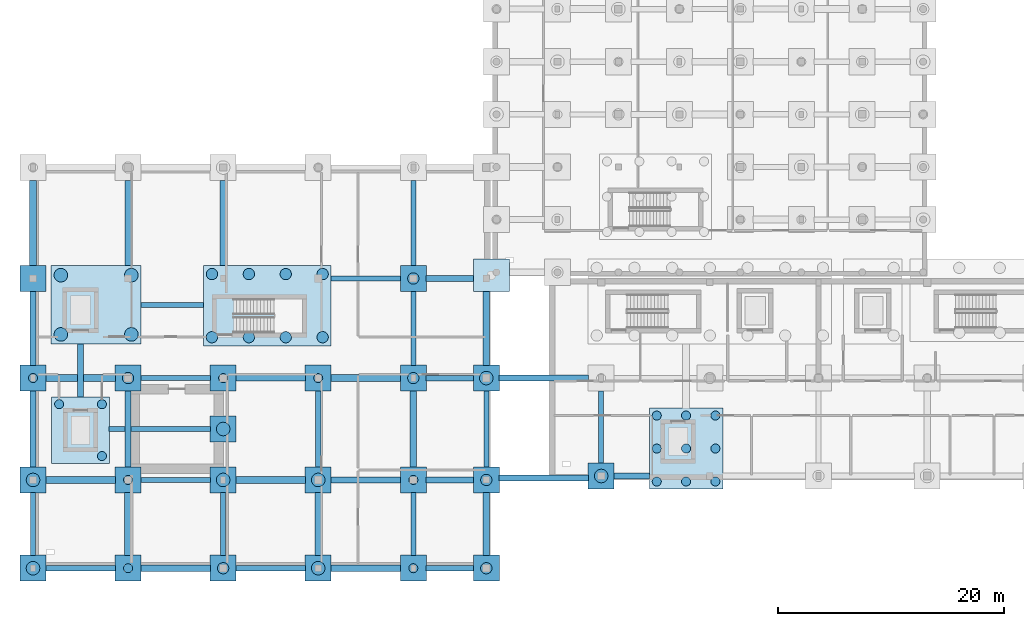
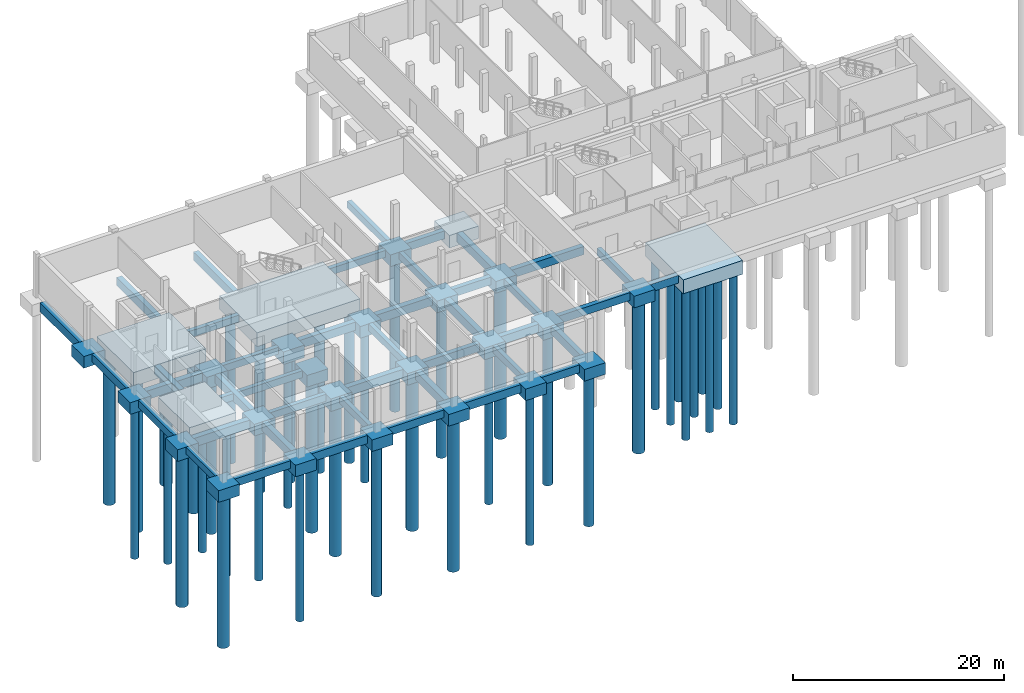
# One storey, part 1 of 14: 69 footings, 45 piles.
"""IFC4 building model written with IfcOpenShell, lengths in metres."""

from ifc_helpers import new_model, si_unit, direction, frame, origin, origin_2d, place, context, subcontext, project, spatial, rectangle, circle, extrude, material, material_profile, profile_set, type_object, element, save


model = new_model("IFC4")

# Units and contexts
model_context = context("Model", 3, precision=1e-05, world=origin(), true_north=direction((0.0, 1.0)))
body_context = subcontext(model_context, "Body", "Model", "MODEL_VIEW")
ifc_project = project(units=[si_unit("LENGTHUNIT", "METRE"), si_unit("AREAUNIT", "SQUARE_METRE"), si_unit("VOLUMEUNIT", "CUBIC_METRE"), si_unit("PLANEANGLEUNIT", "RADIAN"), si_unit("MASSUNIT", "GRAM", prefix="KILO")], contexts=[model_context])

# Site, building, storey
site_placement = place(None, origin())
site = spatial("IfcSite", under=ifc_project, at=site_placement, CompositionType="ELEMENT")
building_placement = place(site_placement, origin())
building = spatial("IfcBuilding", under=site, at=building_placement, Name="Birchvale Park Specialist Clinic", CompositionType="ELEMENT")
storey_placement = place(building_placement, frame((0.0, 0.0, -4.5)))
storey = spatial("IfcBuildingStorey", under=building, at=storey_placement, Name="B1", CompositionType="ELEMENT", Elevation=-4.5)

# Footings
ifc_material = material(Name="Concrete C40/50", Category="concrete")
footing_type_1 = type_object("IfcFootingType", Name="FTB-1", PredefinedType="FOOTING_BEAM", material=ifc_material)
for number, where, z_axis, x_axis, name in (
    (1, (15.39990234375, 9.0, -1.449951171875), (0.0, 0.0, 1.0), (1.0, 0.0, 0.0), "B1 foundation tie beam 1"),
    (2, (32.199951171875, 9.0, -1.449951171875), (0.0, 0.0, 1.0), (1.0, 0.0, 0.0), "B1 foundation tie beam 5"),
):
    element("IfcFooting", number, at=place(storey_placement, frame(where, z_axis=z_axis, x_axis=x_axis)), inside=storey, type_object=footing_type_1, Name=name, PredefinedType="FOOTING_BEAM", context=body_context, shape_type="SweptSolid", body=[
        extrude(rectangle(XDim=6.139892578125, YDim=0.5, at=origin_2d()), origin(), (0.0, 0.0, 1.0), 0.89990234375),
    ])
footing_1_placement = place(storey_placement, frame((48.02490234375, 9.0, -1.449951171875), z_axis=(0.0, 0.0, 1.0), x_axis=(1.0, 0.0, 0.0)))
element("IfcFooting", 3, at=footing_1_placement, inside=storey, type_object=footing_type_1, Name="B1 foundation tie beam 9", PredefinedType="FOOTING_BEAM", context=body_context, shape_type="SweptSolid", body=[
    extrude(rectangle(XDim=4.18994140625, YDim=0.5, at=origin_2d()), origin(), (0.0, 0.0, 1.0), 0.89990234375),
])
footing_2_placement = place(storey_placement, frame((11.199951171875, 21.300048828125, -1.449951171875), z_axis=(0.0, 0.0, 1.0), x_axis=(1.0, 0.0, 0.0)))
element("IfcFooting", 4, at=footing_2_placement, inside=storey, type_object=footing_type_1, Name="B1 foundation tie beam 13", PredefinedType="FOOTING_BEAM", context=body_context, shape_type="SweptSolid", body=[
    extrude(rectangle(XDim=0.5, YDim=6.739990234375, at=origin_2d()), origin(), (0.0, 0.0, 1.0), 0.89990234375),
])
footing_3_placement = place(storey_placement, frame((40.60009765625, 16.800048828125, -1.449951171875), z_axis=(0.0, 0.0, 1.0), x_axis=(1.0, 0.0, 0.0)))
element("IfcFooting", 5, at=footing_3_placement, inside=storey, type_object=footing_type_1, Name="B1 foundation tie beam 17", PredefinedType="FOOTING_BEAM", context=body_context, shape_type="SweptSolid", body=[
    extrude(rectangle(XDim=6.139892578125, YDim=0.5, at=origin_2d()), origin(), (0.0, 0.0, 1.0), 0.89990234375),
])
footing_4_placement = place(storey_placement, frame((56.324951171875, 16.97509765625, -1.449951171875), z_axis=(0.0, 0.0, 1.0), x_axis=(1.0, 0.0, 0.0)))
element("IfcFooting", 6, at=footing_4_placement, inside=storey, type_object=footing_type_1, Name="B1 foundation tie beam 21", PredefinedType="FOOTING_BEAM", context=body_context, shape_type="SweptSolid", body=[
    extrude(rectangle(XDim=7.889892578125, YDim=0.5, at=origin_2d()), origin(), (0.0, 0.0, 1.0), 0.89990234375),
])
footing_5_placement = place(storey_placement, frame((64.10009765625, 17.14990234375, -1.449951171875), z_axis=(0.0, 0.0, 1.0), x_axis=(1.0, 0.0, 0.0)))
element("IfcFooting", 7, at=footing_5_placement, inside=storey, type_object=footing_type_1, Name="B1 foundation tie beam 33", PredefinedType="FOOTING_BEAM", context=body_context, shape_type="SweptSolid", body=[
    extrude(rectangle(XDim=3.139892578125, YDim=0.5, at=origin_2d()), origin(), (0.0, 0.0, 1.0), 0.89990234375),
])
footing_6_placement = place(storey_placement, frame((11.199951171875, 30.199951171875, -1.449951171875), z_axis=(0.0, 0.0, 1.0), x_axis=(1.0, 0.0, 0.0)))
element("IfcFooting", 8, at=footing_6_placement, inside=storey, type_object=footing_type_1, Name="B1 foundation tie beam 49", PredefinedType="FOOTING_BEAM", context=body_context, shape_type="SweptSolid", body=[
    extrude(rectangle(XDim=0.5, YDim=6.5400390625, at=origin_2d()), origin(), (0.0, 0.0, 1.0), 0.89990234375),
])
for number, where, z_axis, x_axis, name in (
    (9, (48.02490234375, 25.800048828125, -1.449951171875), (0.0, 0.0, 1.0), (1.0, 0.0, 0.0), "B1 foundation tie beam 53"),
    (10, (48.02490234375, 34.60009765625, -1.449951171875), (0.0, 0.0, 1.0), (1.0, 0.0, 0.0), "B1 foundation tie beam 73"),
):
    element("IfcFooting", number, at=place(storey_placement, frame(where, z_axis=z_axis, x_axis=x_axis)), inside=storey, type_object=footing_type_1, Name=name, PredefinedType="FOOTING_BEAM", context=body_context, shape_type="SweptSolid", body=[
        extrude(rectangle(XDim=4.18994140625, YDim=0.5, at=origin_2d()), origin(), (0.0, 0.0, 1.0), 0.89990234375),
    ])
footing_type_2 = type_object("IfcFootingType", Name="FTB-2", PredefinedType="FOOTING_BEAM", material=ifc_material)
for number, where, z_axis, x_axis, name in (
    (11, (11.199951171875, 12.89990234375, -1.35009765625), (0.0, 0.0, 1.0), (1.0, 0.0, 0.0), "B1 foundation tie beam 2"),
    (12, (28.0, 12.89990234375, -1.35009765625), (0.0, 0.0, 1.0), (1.0, 0.0, 0.0), "B1 foundation tie beam 6"),
    (13, (44.800048828125, 12.89990234375, -1.35009765625), (0.0, 0.0, 1.0), (1.0, 0.0, 0.0), "B1 foundation tie beam 10"),
):
    element("IfcFooting", number, at=place(storey_placement, frame(where, z_axis=z_axis, x_axis=x_axis)), inside=storey, type_object=footing_type_2, Name=name, PredefinedType="FOOTING_BEAM", context=body_context, shape_type="SweptSolid", body=[
        extrude(rectangle(XDim=0.449951171875, YDim=5.5400390625, at=origin_2d()), origin(), (0.0, 0.0, 1.0), 0.800048828125),
    ])
footing_7_placement = place(storey_placement, frame((23.800048828125, 16.800048828125, -1.35009765625), z_axis=(0.0, 0.0, 1.0), x_axis=(1.0, 0.0, 0.0)))
element("IfcFooting", 14, at=footing_7_placement, inside=storey, type_object=footing_type_2, Name="B1 foundation tie beam 14", PredefinedType="FOOTING_BEAM", context=body_context, shape_type="SweptSolid", body=[
    extrude(rectangle(XDim=6.139892578125, YDim=0.449951171875, at=origin_2d()), origin(), (0.0, 0.0, 1.0), 0.800048828125),
])
for number, where, z_axis, x_axis, name in (
    (15, (36.39990234375, 21.300048828125, -1.35009765625), (0.0, 0.0, 1.0), (1.0, 0.0, 0.0), "B1 foundation tie beam 18"),
    (16, (51.25, 21.300048828125, -1.35009765625), (0.0, 0.0, 1.0), (1.0, 0.0, 0.0), "B1 foundation tie beam 22"),
):
    element("IfcFooting", number, at=place(storey_placement, frame(where, z_axis=z_axis, x_axis=x_axis)), inside=storey, type_object=footing_type_2, Name=name, PredefinedType="FOOTING_BEAM", context=body_context, shape_type="SweptSolid", body=[
        extrude(rectangle(XDim=0.449951171875, YDim=6.739990234375, at=origin_2d()), origin(), (0.0, 0.0, 1.0), 0.800048828125),
    ])
footing_8_placement = place(storey_placement, frame((61.39990234375, 21.47509765625, -1.35009765625), z_axis=(0.0, 0.0, 1.0), x_axis=(1.0, 0.0, 0.0)))
element("IfcFooting", 17, at=footing_8_placement, inside=storey, type_object=footing_type_2, Name="B1 foundation tie beam 34", PredefinedType="FOOTING_BEAM", context=body_context, shape_type="SweptSolid", body=[
    extrude(rectangle(XDim=0.449951171875, YDim=6.389892578125, at=origin_2d()), origin(), (0.0, 0.0, 1.0), 0.800048828125),
])
footing_9_placement = place(storey_placement, frame((22.39990234375, 21.300048828125, -1.35009765625), z_axis=(0.0, 0.0, 1.0), x_axis=(1.0, 0.0, 0.0)))
element("IfcFooting", 18, at=footing_9_placement, inside=storey, type_object=footing_type_2, Name="B1 foundation tie beam 42", PredefinedType="FOOTING_BEAM", context=body_context, shape_type="SweptSolid", body=[
    extrude(rectangle(XDim=8.93994140625, YDim=0.449951171875, at=origin_2d()), origin(), (0.0, 0.0, 1.0), 0.800048828125),
])
footing_10_placement = place(storey_placement, frame((23.800048828125, 25.800048828125, -1.35009765625), z_axis=(0.0, 0.0, 1.0), x_axis=(1.0, 0.0, 0.0)))
element("IfcFooting", 19, at=footing_10_placement, inside=storey, type_object=footing_type_2, Name="B1 foundation tie beam 50", PredefinedType="FOOTING_BEAM", context=body_context, shape_type="SweptSolid", body=[
    extrude(rectangle(XDim=6.139892578125, YDim=0.449951171875, at=origin_2d()), origin(), (0.0, 0.0, 1.0), 0.800048828125),
])
footing_11_placement = place(storey_placement, frame((44.800048828125, 30.199951171875, -1.35009765625), z_axis=(0.0, 0.0, 1.0), x_axis=(1.0, 0.0, 0.0)))
element("IfcFooting", 20, at=footing_11_placement, inside=storey, type_object=footing_type_2, Name="B1 foundation tie beam 54", PredefinedType="FOOTING_BEAM", context=body_context, shape_type="SweptSolid", body=[
    extrude(rectangle(XDim=0.449951171875, YDim=6.5400390625, at=origin_2d()), origin(), (0.0, 0.0, 1.0), 0.800048828125),
])
footing_12_placement = place(storey_placement, frame((40.60009765625, 34.60009765625, -1.35009765625), z_axis=(0.0, 0.0, 1.0), x_axis=(1.0, 0.0, 0.0)))
element("IfcFooting", 21, at=footing_12_placement, inside=storey, type_object=footing_type_2, Name="B1 foundation tie beam 66", PredefinedType="FOOTING_BEAM", context=body_context, shape_type="SweptSolid", body=[
    extrude(rectangle(XDim=6.139892578125, YDim=0.449951171875, at=origin_2d()), origin(), (0.0, 0.0, 1.0), 0.800048828125),
])
footing_13_placement = place(storey_placement, frame((23.5, 32.27490234375, -1.35009765625), z_axis=(0.0, 0.0, 1.0), x_axis=(1.0, 0.0, 0.0)))
element("IfcFooting", 22, at=footing_13_placement, inside=storey, type_object=footing_type_2, Name="B1 foundation tie beam 70", PredefinedType="FOOTING_BEAM", context=body_context, shape_type="SweptSolid", body=[
    extrude(rectangle(XDim=5.5400390625, YDim=0.449951171875, at=origin_2d()), origin(), (0.0, 0.0, 1.0), 0.800048828125),
])
footing_14_placement = place(storey_placement, frame((44.800048828125, 39.5, -1.35009765625), z_axis=(0.0, 0.0, 1.0), x_axis=(1.0, 0.0, 0.0)))
element("IfcFooting", 23, at=footing_14_placement, inside=storey, type_object=footing_type_2, Name="B1 foundation tie beam 74", PredefinedType="FOOTING_BEAM", context=body_context, shape_type="SweptSolid", body=[
    extrude(rectangle(XDim=0.449951171875, YDim=7.5400390625, at=origin_2d()), origin(), (0.0, 0.0, 1.0), 0.800048828125),
])
footing_type_3 = type_object("IfcFootingType", Name="FTB-3", PredefinedType="FOOTING_BEAM", material=ifc_material)
for number, where, z_axis, x_axis, name in (
    (24, (23.800048828125, 9.0, -1.5), (0.0, 0.0, 1.0), (1.0, 0.0, 0.0), "B1 foundation tie beam 3"),
    (25, (40.60009765625, 9.0, -1.5), (0.0, 0.0, 1.0), (1.0, 0.0, 0.0), "B1 foundation tie beam 7"),
):
    element("IfcFooting", number, at=place(storey_placement, frame(where, z_axis=z_axis, x_axis=x_axis)), inside=storey, type_object=footing_type_3, Name=name, PredefinedType="FOOTING_BEAM", context=body_context, shape_type="SweptSolid", body=[
        extrude(rectangle(XDim=6.139892578125, YDim=0.550048828125, at=origin_2d()), origin(), (0.0, 0.0, 1.0), 0.949951171875),
    ])
footing_15_placement = place(storey_placement, frame((51.25, 12.89990234375, -1.5), z_axis=(0.0, 0.0, 1.0), x_axis=(1.0, 0.0, 0.0)))
element("IfcFooting", 26, at=footing_15_placement, inside=storey, type_object=footing_type_3, Name="B1 foundation tie beam 11", PredefinedType="FOOTING_BEAM", context=body_context, shape_type="SweptSolid", body=[
    extrude(rectangle(XDim=0.550048828125, YDim=5.5400390625, at=origin_2d()), origin(), (0.0, 0.0, 1.0), 0.949951171875),
])
footing_16_placement = place(storey_placement, frame((19.60009765625, 21.300048828125, -1.5), z_axis=(0.0, 0.0, 1.0), x_axis=(1.0, 0.0, 0.0)))
element("IfcFooting", 27, at=footing_16_placement, inside=storey, type_object=footing_type_3, Name="B1 foundation tie beam 15", PredefinedType="FOOTING_BEAM", context=body_context, shape_type="SweptSolid", body=[
    extrude(rectangle(XDim=0.550048828125, YDim=6.739990234375, at=origin_2d()), origin(), (0.0, 0.0, 1.0), 0.949951171875),
])
footing_17_placement = place(storey_placement, frame((48.02490234375, 16.800048828125, -1.5), z_axis=(0.0, 0.0, 1.0), x_axis=(1.0, 0.0, 0.0)))
element("IfcFooting", 28, at=footing_17_placement, inside=storey, type_object=footing_type_3, Name="B1 foundation tie beam 19", PredefinedType="FOOTING_BEAM", context=body_context, shape_type="SweptSolid", body=[
    extrude(rectangle(XDim=4.18994140625, YDim=0.550048828125, at=origin_2d()), origin(), (0.0, 0.0, 1.0), 0.949951171875),
])
footing_18_placement = place(storey_placement, frame((15.39990234375, 26.47509765625, -1.5), z_axis=(0.0, 0.0, 1.0), x_axis=(1.0, 0.0, 0.0)))
element("IfcFooting", 29, at=footing_18_placement, inside=storey, type_object=footing_type_3, Name="B1 foundation tie beam 43", PredefinedType="FOOTING_BEAM", context=body_context, shape_type="SweptSolid", body=[
    extrude(rectangle(XDim=0.550048828125, YDim=4.68994140625, at=origin_2d()), origin(), (0.0, 0.0, 1.0), 0.949951171875),
])
footing_19_placement = place(storey_placement, frame((32.199951171875, 25.800048828125, -1.5), z_axis=(0.0, 0.0, 1.0), x_axis=(1.0, 0.0, 0.0)))
element("IfcFooting", 30, at=footing_19_placement, inside=storey, type_object=footing_type_3, Name="B1 foundation tie beam 51", PredefinedType="FOOTING_BEAM", context=body_context, shape_type="SweptSolid", body=[
    extrude(rectangle(XDim=6.139892578125, YDim=0.550048828125, at=origin_2d()), origin(), (0.0, 0.0, 1.0), 0.949951171875),
])
footing_20_placement = place(storey_placement, frame((56.324951171875, 25.800048828125, -1.5), z_axis=(0.0, 0.0, 1.0), x_axis=(1.0, 0.0, 0.0)))
element("IfcFooting", 31, at=footing_20_placement, inside=storey, type_object=footing_type_3, Name="B1 foundation tie beam 55", PredefinedType="FOOTING_BEAM", context=body_context, shape_type="SweptSolid", body=[
    extrude(rectangle(XDim=7.889892578125, YDim=0.550048828125, at=origin_2d()), origin(), (0.0, 0.0, 1.0), 0.949951171875),
])
for number, where, z_axis, x_axis, name in (
    (32, (28.0, 39.5, -1.5), (0.0, 0.0, 1.0), (1.0, 0.0, 0.0), "B1 foundation tie beam 67"),
    (33, (19.60009765625, 39.5, -1.5), (0.0, 0.0, 1.0), (1.0, 0.0, 0.0), "B1 foundation tie beam 71"),
):
    element("IfcFooting", number, at=place(storey_placement, frame(where, z_axis=z_axis, x_axis=x_axis)), inside=storey, type_object=footing_type_3, Name=name, PredefinedType="FOOTING_BEAM", context=body_context, shape_type="SweptSolid", body=[
        extrude(rectangle(XDim=0.550048828125, YDim=7.5400390625, at=origin_2d()), origin(), (0.0, 0.0, 1.0), 0.949951171875),
    ])
footing_type_4 = type_object("IfcFootingType", Name="FTB-4", PredefinedType="FOOTING_BEAM", material=ifc_material)
for number, where, z_axis, x_axis, name in (
    (34, (19.60009765625, 12.89990234375, -1.550048828125), (0.0, 0.0, 1.0), (1.0, 0.0, 0.0), "B1 foundation tie beam 4"),
    (35, (36.39990234375, 12.89990234375, -1.550048828125), (0.0, 0.0, 1.0), (1.0, 0.0, 0.0), "B1 foundation tie beam 8"),
):
    element("IfcFooting", number, at=place(storey_placement, frame(where, z_axis=z_axis, x_axis=x_axis)), inside=storey, type_object=footing_type_4, Name=name, PredefinedType="FOOTING_BEAM", context=body_context, shape_type="SweptSolid", body=[
        extrude(rectangle(XDim=0.60009765625, YDim=5.5400390625, at=origin_2d()), origin(), (0.0, 0.0, 1.0), 1.0),
    ])
for number, where, z_axis, x_axis, name in (
    (36, (15.39990234375, 16.800048828125, -1.550048828125), (0.0, 0.0, 1.0), (1.0, 0.0, 0.0), "B1 foundation tie beam 12"),
    (37, (32.199951171875, 16.800048828125, -1.550048828125), (0.0, 0.0, 1.0), (1.0, 0.0, 0.0), "B1 foundation tie beam 16"),
):
    element("IfcFooting", number, at=place(storey_placement, frame(where, z_axis=z_axis, x_axis=x_axis)), inside=storey, type_object=footing_type_4, Name=name, PredefinedType="FOOTING_BEAM", context=body_context, shape_type="SweptSolid", body=[
        extrude(rectangle(XDim=6.139892578125, YDim=0.60009765625, at=origin_2d()), origin(), (0.0, 0.0, 1.0), 1.0),
    ])
footing_21_placement = place(storey_placement, frame((44.800048828125, 21.300048828125, -1.550048828125), z_axis=(0.0, 0.0, 1.0), x_axis=(1.0, 0.0, 0.0)))
element("IfcFooting", 38, at=footing_21_placement, inside=storey, type_object=footing_type_4, Name="B1 foundation tie beam 20", PredefinedType="FOOTING_BEAM", context=body_context, shape_type="SweptSolid", body=[
    extrude(rectangle(XDim=0.60009765625, YDim=6.739990234375, at=origin_2d()), origin(), (0.0, 0.0, 1.0), 1.0),
])
for number, where, z_axis, x_axis, name in (
    (39, (15.39990234375, 25.800048828125, -1.550048828125), (0.0, 0.0, 1.0), (1.0, 0.0, 0.0), "B1 foundation tie beam 48"),
    (40, (40.60009765625, 25.800048828125, -1.550048828125), (0.0, 0.0, 1.0), (1.0, 0.0, 0.0), "B1 foundation tie beam 52"),
):
    element("IfcFooting", number, at=place(storey_placement, frame(where, z_axis=z_axis, x_axis=x_axis)), inside=storey, type_object=footing_type_4, Name=name, PredefinedType="FOOTING_BEAM", context=body_context, shape_type="SweptSolid", body=[
        extrude(rectangle(XDim=6.139892578125, YDim=0.60009765625, at=origin_2d()), origin(), (0.0, 0.0, 1.0), 1.0),
    ])
footing_22_placement = place(storey_placement, frame((51.25, 30.199951171875, -1.550048828125), z_axis=(0.0, 0.0, 1.0), x_axis=(1.0, 0.0, 0.0)))
element("IfcFooting", 41, at=footing_22_placement, inside=storey, type_object=footing_type_4, Name="B1 foundation tie beam 56", PredefinedType="FOOTING_BEAM", context=body_context, shape_type="SweptSolid", body=[
    extrude(rectangle(XDim=0.60009765625, YDim=6.5400390625, at=origin_2d()), origin(), (0.0, 0.0, 1.0), 1.0),
])
footing_23_placement = place(storey_placement, frame((11.199951171875, 39.5, -1.550048828125), z_axis=(0.0, 0.0, 1.0), x_axis=(1.0, 0.0, 0.0)))
element("IfcFooting", 42, at=footing_23_placement, inside=storey, type_object=footing_type_4, Name="B1 foundation tie beam 72", PredefinedType="FOOTING_BEAM", context=body_context, shape_type="SweptSolid", body=[
    extrude(rectangle(XDim=0.60009765625, YDim=7.5400390625, at=origin_2d()), origin(), (0.0, 0.0, 1.0), 1.0),
])
footing_type_5 = type_object("IfcFootingType", Name="FTG-PC-01", PredefinedType="PILE_CAP", material=ifc_material)
for number, where, z_axis, x_axis, name in (
    (43, (11.199951171875, 9.0, -1.900146484375), (0.0, 0.0, 1.0), (1.0, 0.0, 0.0), "B1 pile cap 1"),
    (44, (19.60009765625, 9.0, -1.900146484375), (0.0, 0.0, 1.0), (1.0, 0.0, 0.0), "B1 pile cap 2"),
    (45, (28.0, 9.0, -1.900146484375), (0.0, 0.0, 1.0), (1.0, 0.0, 0.0), "B1 pile cap 3"),
    (46, (36.39990234375, 9.0, -1.900146484375), (0.0, 0.0, 1.0), (1.0, 0.0, 0.0), "B1 pile cap 4"),
    (47, (44.800048828125, 9.0, -1.900146484375), (0.0, 0.0, 1.0), (1.0, 0.0, 0.0), "B1 pile cap 5"),
    (48, (51.25, 9.0, -1.900146484375), (0.0, 0.0, 1.0), (1.0, 0.0, 0.0), "B1 pile cap 6"),
    (49, (11.199951171875, 16.800048828125, -1.900146484375), (0.0, 0.0, 1.0), (1.0, 0.0, 0.0), "B1 pile cap 7"),
    (50, (19.60009765625, 16.800048828125, -1.900146484375), (0.0, 0.0, 1.0), (1.0, 0.0, 0.0), "B1 pile cap 8"),
    (51, (36.39990234375, 16.800048828125, -1.900146484375), (0.0, 0.0, 1.0), (1.0, 0.0, 0.0), "B1 pile cap 10"),
    (52, (44.800048828125, 16.800048828125, -1.900146484375), (0.0, 0.0, 1.0), (1.0, 0.0, 0.0), "B1 pile cap 11"),
    (53, (51.25, 16.800048828125, -1.900146484375), (0.0, 0.0, 1.0), (1.0, 0.0, 0.0), "B1 pile cap 12"),
    (54, (61.39990234375, 17.14990234375, -1.900146484375), (0.0, 0.0, 1.0), (1.0, 0.0, 0.0), "B1 pile cap 19"),
    (55, (28.0, 21.300048828125, -1.900146484375), (0.0, 0.0, 1.0), (1.0, 0.0, 0.0), "B1 pile cap 25"),
    (56, (11.199951171875, 25.800048828125, -1.900146484375), (0.0, 0.0, 1.0), (1.0, 0.0, 0.0), "B1 pile cap 29"),
    (57, (19.60009765625, 25.800048828125, -1.900146484375), (0.0, 0.0, 1.0), (1.0, 0.0, 0.0), "B1 pile cap 30"),
    (58, (36.39990234375, 25.800048828125, -1.900146484375), (0.0, 0.0, 1.0), (1.0, 0.0, 0.0), "B1 pile cap 32"),
    (59, (44.800048828125, 25.800048828125, -1.900146484375), (0.0, 0.0, 1.0), (1.0, 0.0, 0.0), "B1 pile cap 33"),
    (60, (51.25, 25.800048828125, -1.900146484375), (0.0, 0.0, 1.0), (1.0, 0.0, 0.0), "B1 pile cap 34"),
    (61, (11.199951171875, 34.60009765625, -1.900146484375), (0.0, 0.0, 1.0), (1.0, 0.0, 0.0), "B1 pile cap 50"),
    (62, (44.800048828125, 34.60009765625, -1.900146484375), (0.0, 0.0, 1.0), (1.0, 0.0, 0.0), "B1 pile cap 51"),
):
    element("IfcFooting", number, at=place(storey_placement, frame(where, z_axis=z_axis, x_axis=x_axis)), inside=storey, type_object=footing_type_5, Name=name, PredefinedType="PILE_CAP", context=body_context, shape_type="SweptSolid", body=[
        extrude(rectangle(XDim=2.300048828125, YDim=2.300048828125, at=origin_2d()), origin(), (0.0, 0.0, 1.0), 1.35009765625),
    ])
footing_type_6 = type_object("IfcFootingType", Name="FTG-PC-02", PredefinedType="PILE_CAP", material=ifc_material)
for number, where, z_axis, x_axis, name in (
    (63, (28.0, 16.800048828125, -2.0), (0.0, 0.0, 1.0), (1.0, 0.0, 0.0), "B1 pile cap 9"),
    (64, (28.0, 25.800048828125, -2.0), (0.0, 0.0, 1.0), (1.0, 0.0, 0.0), "B1 pile cap 31"),
):
    element("IfcFooting", number, at=place(storey_placement, frame(where, z_axis=z_axis, x_axis=x_axis)), inside=storey, type_object=footing_type_6, Name=name, PredefinedType="PILE_CAP", context=body_context, shape_type="SweptSolid", body=[
        extrude(rectangle(XDim=2.300048828125, YDim=2.300048828125, at=origin_2d()), origin(), (0.0, 0.0, 1.0), 1.449951171875),
    ])
footing_type_7 = type_object("IfcFootingType", Name="FTG-PC-05", PredefinedType="PILE_CAP", material=ifc_material)
footing_24_placement = place(storey_placement, frame((68.89990234375, 19.574951171875, -2.150146484375), z_axis=(0.0, 0.0, 1.0), x_axis=(1.0, 0.0, 0.0)))
element("IfcFooting", 65, at=footing_24_placement, inside=storey, type_object=footing_type_7, Name="B1 pile cap 20", PredefinedType="PILE_CAP", context=body_context, shape_type="SweptSolid", body=[
    extrude(rectangle(XDim=6.5, YDim=7.14990234375, at=origin_2d()), origin(), (0.0, 0.0, 1.0), 1.60009765625),
])
footing_type_8 = type_object("IfcFootingType", Name="FTG-PC-06", PredefinedType="PILE_CAP", material=ifc_material)
footing_25_placement = place(storey_placement, frame((15.39990234375, 21.199951171875, -2.150146484375), z_axis=(0.0, 0.0, 1.0), x_axis=(1.0, 0.0, 0.0)))
element("IfcFooting", 66, at=footing_25_placement, inside=storey, type_object=footing_type_8, Name="B1 pile cap 24", PredefinedType="PILE_CAP", context=body_context, shape_type="SweptSolid", body=[
    extrude(rectangle(XDim=5.10009765625, YDim=5.89990234375, at=origin_2d()), origin(), (0.0, 0.0, 1.0), 1.60009765625),
])
footing_type_9 = type_object("IfcFootingType", Name="FTG-PC-08", PredefinedType="PILE_CAP", material=ifc_material)
footing_26_placement = place(storey_placement, frame((31.89990234375, 32.199951171875, -2.150146484375), z_axis=(0.0, 0.0, 1.0), x_axis=(1.0, 0.0, 0.0)))
element("IfcFooting", 67, at=footing_26_placement, inside=storey, type_object=footing_type_9, Name="B1 pile cap 44", PredefinedType="PILE_CAP", context=body_context, shape_type="SweptSolid", body=[
    extrude(rectangle(XDim=11.300048828125, YDim=7.10009765625, at=origin_2d()), origin(), (0.0, 0.0, 1.0), 1.60009765625),
])
footing_type_10 = type_object("IfcFootingType", Name="FTG-PC-10", PredefinedType="PILE_CAP", material=ifc_material)
footing_27_placement = place(storey_placement, frame((16.77490234375, 32.27490234375, -2.150146484375), z_axis=(0.0, 0.0, 1.0), x_axis=(1.0, 0.0, 0.0)))
element("IfcFooting", 68, at=footing_27_placement, inside=storey, type_object=footing_type_10, Name="B1 pile cap 46", PredefinedType="PILE_CAP", context=body_context, shape_type="SweptSolid", body=[
    extrude(rectangle(XDim=7.949951171875, YDim=6.949951171875, at=origin_2d()), origin(), (0.0, 0.0, 1.0), 1.60009765625),
])
footing_type_11 = type_object("IfcFootingType", Name="FTG-PC-14", PredefinedType="PILE_CAP", material=ifc_material)
footing_28_placement = place(storey_placement, frame((51.699951171875, 34.875, -2.0), z_axis=(0.0, 0.0, 1.0), x_axis=(1.0, 0.0, 0.0)))
element("IfcFooting", 69, at=footing_28_placement, inside=storey, type_object=footing_type_11, Name="B1 pile cap 52", PredefinedType="PILE_CAP", context=body_context, shape_type="SweptSolid", body=[
    extrude(rectangle(XDim=3.199951171875, YDim=2.85009765625, at=origin_2d()), origin(), (0.0, 0.0, 1.0), 1.449951171875),
])

# Piles
ifc_material_profile_1 = material_profile(ifc_material, circle(Radius=0.39990234375, at=origin_2d()), Name="PILE-800")
ifc_profile_set_1 = profile_set([ifc_material_profile_1], Name="Concrete C40/50")
pile_type_1 = type_object("IfcPileType", Name="PILE-P1", PredefinedType="BORED", material=ifc_profile_set_1)
for number, where, z_axis, x_axis, name in (
    (70, (19.60009765625, 9.0, -1.800048828125), (0.0, 0.0, -1.0), (1.0, 0.0, 0.0), "B1 bored pile 2 (P1)"),
    (71, (44.800048828125, 9.0, -1.800048828125), (0.0, 0.0, -1.0), (1.0, 0.0, 0.0), "B1 bored pile 5 (P1)"),
    (72, (19.60009765625, 16.800048828125, -1.800048828125), (0.0, 0.0, -1.0), (1.0, 0.0, 0.0), "B1 bored pile 8 (P1)"),
    (73, (44.800048828125, 16.800048828125, -1.800048828125), (0.0, 0.0, -1.0), (1.0, 0.0, 0.0), "B1 bored pile 11 (P1)"),
):
    element("IfcPile", number, at=place(storey_placement, frame(where, z_axis=z_axis, x_axis=x_axis)), inside=storey, type_object=pile_type_1, Name=name, PredefinedType="BORED", context=body_context, shape_type="SweptSolid", body=[
        extrude(circle(Radius=0.39990234375, at=origin_2d()), origin(), (0.0, 0.0, 1.0), 17.699951171875),
    ])
for number, where, z_axis, x_axis, name in (
    (74, (66.31005859375, 16.659912109375, -2.050048828125), (0.0, 0.0, -1.0), (1.0, 0.0, 0.0), "B1 bored pile 25 (P1)"),
    (75, (66.31005859375, 19.574951171875, -2.050048828125), (0.0, 0.0, -1.0), (1.0, 0.0, 0.0), "B1 bored pile 26 (P1)"),
    (76, (66.31005859375, 22.489990234375, -2.050048828125), (0.0, 0.0, -1.0), (1.0, 0.0, 0.0), "B1 bored pile 27 (P1)"),
    (77, (68.89990234375, 16.659912109375, -2.050048828125), (0.0, 0.0, -1.0), (1.0, 0.0, 0.0), "B1 bored pile 28 (P1)"),
    (78, (68.89990234375, 19.574951171875, -2.050048828125), (0.0, 0.0, -1.0), (1.0, 0.0, 0.0), "B1 bored pile 29 (P1)"),
    (79, (68.89990234375, 22.489990234375, -2.050048828125), (0.0, 0.0, -1.0), (1.0, 0.0, 0.0), "B1 bored pile 30 (P1)"),
    (80, (71.489990234375, 16.659912109375, -2.050048828125), (0.0, 0.0, -1.0), (1.0, 0.0, 0.0), "B1 bored pile 31 (P1)"),
    (81, (71.489990234375, 19.574951171875, -2.050048828125), (0.0, 0.0, -1.0), (1.0, 0.0, 0.0), "B1 bored pile 32 (P1)"),
    (82, (71.489990234375, 22.489990234375, -2.050048828125), (0.0, 0.0, -1.0), (1.0, 0.0, 0.0), "B1 bored pile 33 (P1)"),
    (83, (13.510009765625, 23.489990234375, -2.050048828125), (0.0, 0.0, -1.0), (1.0, 0.0, 0.0), "B1 bored pile 37 (P1)"),
    (84, (17.2900390625, 18.909912109375, -2.050048828125), (0.0, 0.0, -1.0), (1.0, 0.0, 0.0), "B1 bored pile 38 (P1)"),
    (85, (17.2900390625, 23.489990234375, -2.050048828125), (0.0, 0.0, -1.0), (1.0, 0.0, 0.0), "B1 bored pile 39 (P1)"),
):
    element("IfcPile", number, at=place(storey_placement, frame(where, z_axis=z_axis, x_axis=x_axis)), inside=storey, type_object=pile_type_1, Name=name, PredefinedType="BORED", context=body_context, shape_type="SweptSolid", body=[
        extrude(circle(Radius=0.39990234375, at=origin_2d()), origin(), (0.0, 0.0, 1.0), 17.449951171875),
    ])
pile_1_placement = place(storey_placement, frame((11.199951171875, 25.800048828125, -1.800048828125), z_axis=(0.0, 0.0, -1.0), x_axis=(1.0, 0.0, 0.0)))
element("IfcPile", 86, at=pile_1_placement, inside=storey, type_object=pile_type_1, Name="B1 bored pile 46 (P1)", PredefinedType="BORED", context=body_context, shape_type="SweptSolid", body=[
    extrude(circle(Radius=0.39990234375, at=origin_2d()), origin(), (0.0, 0.0, 1.0), 17.699951171875),
])
pile_2_placement = place(storey_placement, frame((28.0, 25.800048828125, -1.89990234375), z_axis=(0.0, 0.0, -1.0), x_axis=(1.0, 0.0, 0.0)))
element("IfcPile", 87, at=pile_2_placement, inside=storey, type_object=pile_type_1, Name="B1 bored pile 48 (P1)", PredefinedType="BORED", context=body_context, shape_type="SweptSolid", body=[
    extrude(circle(Radius=0.39990234375, at=origin_2d()), origin(), (0.0, 0.0, 1.0), 17.60009765625),
])
pile_3_placement = place(storey_placement, frame((36.39990234375, 25.800048828125, -1.800048828125), z_axis=(0.0, 0.0, -1.0), x_axis=(1.0, 0.0, 0.0)))
element("IfcPile", 88, at=pile_3_placement, inside=storey, type_object=pile_type_1, Name="B1 bored pile 49 (P1)", PredefinedType="BORED", context=body_context, shape_type="SweptSolid", body=[
    extrude(circle(Radius=0.39990234375, at=origin_2d()), origin(), (0.0, 0.0, 1.0), 17.699951171875),
])
ifc_material_profile_2 = material_profile(ifc_material, circle(Radius=0.5, at=origin_2d()), Name="PILE-1000")
ifc_profile_set_2 = profile_set([ifc_material_profile_2], Name="Concrete C40/50")
pile_type_2 = type_object("IfcPileType", Name="PILE-P2", PredefinedType="BORED", material=ifc_profile_set_2)
for number, where, z_axis, x_axis, name in (
    (89, (28.0, 9.0, -1.800048828125), (0.0, 0.0, -1.0), (1.0, 0.0, 0.0), "B1 bored pile 3 (P2)"),
    (90, (51.25, 9.0, -1.800048828125), (0.0, 0.0, -1.0), (1.0, 0.0, 0.0), "B1 bored pile 6 (P2)"),
    (91, (51.25, 16.800048828125, -1.800048828125), (0.0, 0.0, -1.0), (1.0, 0.0, 0.0), "B1 bored pile 12 (P2)"),
    (92, (19.60009765625, 25.800048828125, -1.800048828125), (0.0, 0.0, -1.0), (1.0, 0.0, 0.0), "B1 bored pile 47 (P2)"),
    (93, (44.800048828125, 25.800048828125, -1.800048828125), (0.0, 0.0, -1.0), (1.0, 0.0, 0.0), "B1 bored pile 50 (P2)"),
):
    element("IfcPile", number, at=place(storey_placement, frame(where, z_axis=z_axis, x_axis=x_axis)), inside=storey, type_object=pile_type_2, Name=name, PredefinedType="BORED", context=body_context, shape_type="SweptSolid", body=[
        extrude(circle(Radius=0.5, at=origin_2d()), origin(), (0.0, 0.0, 1.0), 17.699951171875),
    ])
for number, where, z_axis, x_axis, name in (
    (94, (27.010009765625, 29.409912109375, -2.050048828125), (0.0, 0.0, -1.0), (1.0, 0.0, 0.0), "B1 bored pile 60 (P2)"),
    (95, (27.010009765625, 34.989990234375, -2.050048828125), (0.0, 0.0, -1.0), (1.0, 0.0, 0.0), "B1 bored pile 61 (P2)"),
    (96, (30.27001953125, 29.409912109375, -2.050048828125), (0.0, 0.0, -1.0), (1.0, 0.0, 0.0), "B1 bored pile 62 (P2)"),
    (97, (30.27001953125, 34.989990234375, -2.050048828125), (0.0, 0.0, -1.0), (1.0, 0.0, 0.0), "B1 bored pile 63 (P2)"),
    (98, (33.530029296875, 29.409912109375, -2.050048828125), (0.0, 0.0, -1.0), (1.0, 0.0, 0.0), "B1 bored pile 64 (P2)"),
    (99, (33.530029296875, 34.989990234375, -2.050048828125), (0.0, 0.0, -1.0), (1.0, 0.0, 0.0), "B1 bored pile 65 (P2)"),
    (100, (36.7900390625, 29.409912109375, -2.050048828125), (0.0, 0.0, -1.0), (1.0, 0.0, 0.0), "B1 bored pile 66 (P2)"),
    (101, (36.7900390625, 34.989990234375, -2.050048828125), (0.0, 0.0, -1.0), (1.0, 0.0, 0.0), "B1 bored pile 67 (P2)"),
):
    element("IfcPile", number, at=place(storey_placement, frame(where, z_axis=z_axis, x_axis=x_axis)), inside=storey, type_object=pile_type_2, Name=name, PredefinedType="BORED", context=body_context, shape_type="SweptSolid", body=[
        extrude(circle(Radius=0.5, at=origin_2d()), origin(), (0.0, 0.0, 1.0), 17.449951171875),
    ])
pile_4_placement = place(storey_placement, frame((44.800048828125, 34.60009765625, -1.800048828125), z_axis=(0.0, 0.0, -1.0), x_axis=(1.0, 0.0, 0.0)))
element("IfcPile", 102, at=pile_4_placement, inside=storey, type_object=pile_type_2, Name="B1 bored pile 102 (P2)", PredefinedType="BORED", context=body_context, shape_type="SweptSolid", body=[
    extrude(circle(Radius=0.5, at=origin_2d()), origin(), (0.0, 0.0, 1.0), 17.699951171875),
])
ifc_material_profile_3 = material_profile(ifc_material, circle(Radius=0.60009765625, at=origin_2d()), Name="PILE-1200")
ifc_profile_set_3 = profile_set([ifc_material_profile_3], Name="Concrete C40/50")
pile_type_3 = type_object("IfcPileType", Name="PILE-P3", PredefinedType="BORED", material=ifc_profile_set_3)
for number, where, z_axis, x_axis, name in (
    (103, (11.199951171875, 9.0, -1.800048828125), (0.0, 0.0, -1.0), (1.0, 0.0, 0.0), "B1 bored pile 1 (P3)"),
    (104, (36.39990234375, 9.0, -1.800048828125), (0.0, 0.0, -1.0), (1.0, 0.0, 0.0), "B1 bored pile 4 (P3)"),
    (105, (11.199951171875, 16.800048828125, -1.800048828125), (0.0, 0.0, -1.0), (1.0, 0.0, 0.0), "B1 bored pile 7 (P3)"),
):
    element("IfcPile", number, at=place(storey_placement, frame(where, z_axis=z_axis, x_axis=x_axis)), inside=storey, type_object=pile_type_3, Name=name, PredefinedType="BORED", context=body_context, shape_type="SweptSolid", body=[
        extrude(circle(Radius=0.60009765625, at=origin_2d()), origin(), (0.0, 0.0, 1.0), 17.699951171875),
    ])
pile_5_placement = place(storey_placement, frame((28.0, 16.800048828125, -1.89990234375), z_axis=(0.0, 0.0, -1.0), x_axis=(1.0, 0.0, 0.0)))
element("IfcPile", 106, at=pile_5_placement, inside=storey, type_object=pile_type_3, Name="B1 bored pile 9 (P3)", PredefinedType="BORED", context=body_context, shape_type="SweptSolid", body=[
    extrude(circle(Radius=0.60009765625, at=origin_2d()), origin(), (0.0, 0.0, 1.0), 17.60009765625),
])
for number, where, z_axis, x_axis, name in (
    (107, (36.39990234375, 16.800048828125, -1.800048828125), (0.0, 0.0, -1.0), (1.0, 0.0, 0.0), "B1 bored pile 10 (P3)"),
    (108, (61.39990234375, 17.14990234375, -1.800048828125), (0.0, 0.0, -1.0), (1.0, 0.0, 0.0), "B1 bored pile 24 (P3)"),
    (109, (28.0, 21.300048828125, -1.800048828125), (0.0, 0.0, -1.0), (1.0, 0.0, 0.0), "B1 bored pile 40 (P3)"),
    (110, (51.25, 25.800048828125, -1.800048828125), (0.0, 0.0, -1.0), (1.0, 0.0, 0.0), "B1 bored pile 51 (P3)"),
):
    element("IfcPile", number, at=place(storey_placement, frame(where, z_axis=z_axis, x_axis=x_axis)), inside=storey, type_object=pile_type_3, Name=name, PredefinedType="BORED", context=body_context, shape_type="SweptSolid", body=[
        extrude(circle(Radius=0.60009765625, at=origin_2d()), origin(), (0.0, 0.0, 1.0), 17.699951171875),
    ])
for number, where, z_axis, x_axis, name in (
    (111, (13.659912109375, 29.659912109375, -2.050048828125), (0.0, 0.0, -1.0), (1.0, 0.0, 0.0), "B1 bored pile 76 (P3)"),
    (112, (13.659912109375, 34.889892578125, -2.050048828125), (0.0, 0.0, -1.0), (1.0, 0.0, 0.0), "B1 bored pile 77 (P3)"),
    (113, (19.889892578125, 29.659912109375, -2.050048828125), (0.0, 0.0, -1.0), (1.0, 0.0, 0.0), "B1 bored pile 78 (P3)"),
    (114, (19.889892578125, 34.889892578125, -2.050048828125), (0.0, 0.0, -1.0), (1.0, 0.0, 0.0), "B1 bored pile 79 (P3)"),
):
    element("IfcPile", number, at=place(storey_placement, frame(where, z_axis=z_axis, x_axis=x_axis)), inside=storey, type_object=pile_type_3, Name=name, PredefinedType="BORED", context=body_context, shape_type="SweptSolid", body=[
        extrude(circle(Radius=0.60009765625, at=origin_2d()), origin(), (0.0, 0.0, 1.0), 17.449951171875),
    ])

save(model, "model.ifc")
